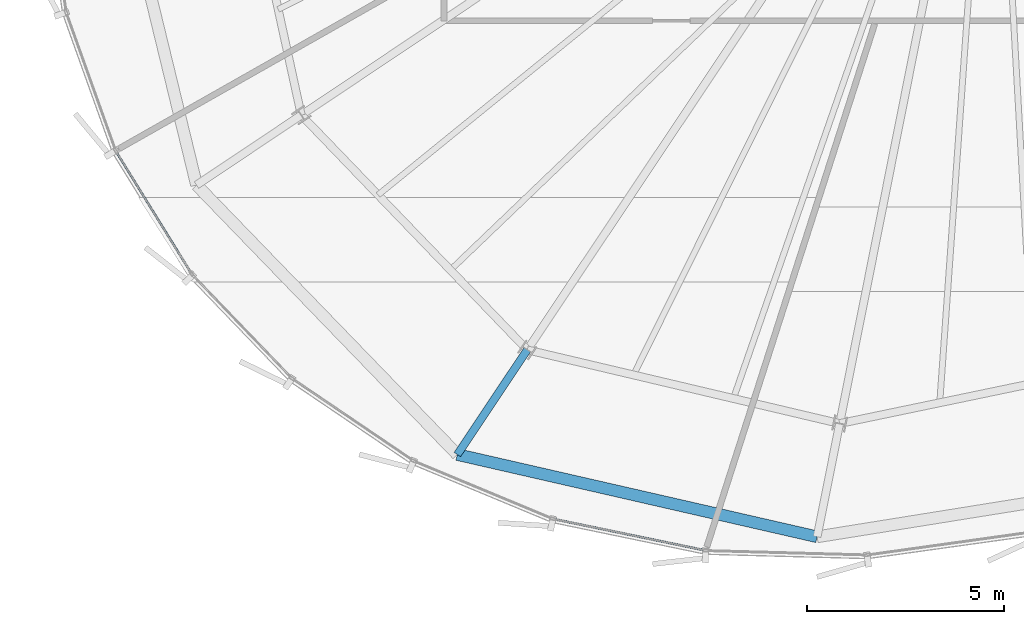
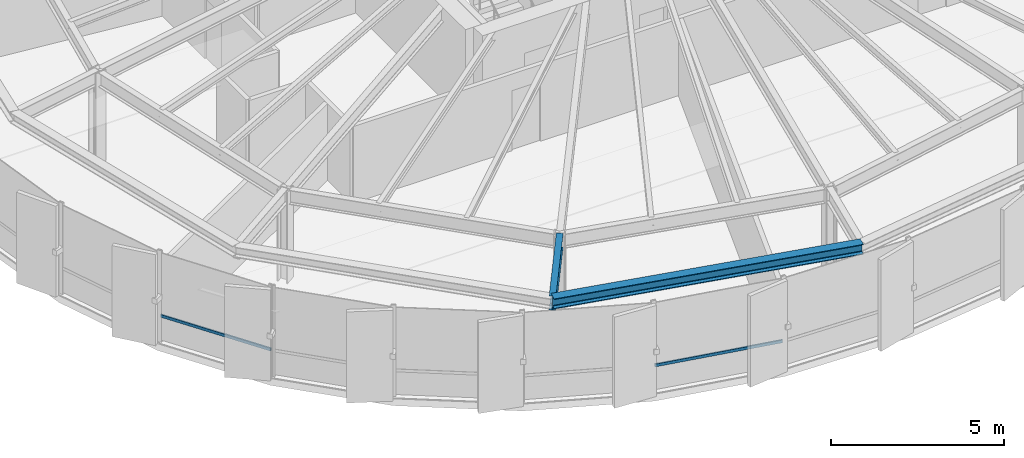
# One storey, part 3 of 34: 2 beams, 2 members, 2 elements without a shape of their own.
"""IFC4 building model written with IfcOpenShell, lengths in metres."""

from ifc_helpers import new_model, si_unit, direction, frame, origin, origin_2d, place, context, subcontext, project, spatial, hollow_rectangle, i_section, extrude, source, transform, mapped, material, layer, layer_set, material_profile, profile_set, type_object, element, aggregate, save


model = new_model("IFC4")

# Units and contexts
model_context = context("Model", 3, precision=1e-05, world=origin(), true_north=direction((0.0, 1.0)))
body_context = subcontext(model_context, "Body", "Model", "MODEL_VIEW")
ifc_project = project(units=[si_unit("LENGTHUNIT", "METRE"), si_unit("AREAUNIT", "SQUARE_METRE"), si_unit("VOLUMEUNIT", "CUBIC_METRE"), si_unit("PLANEANGLEUNIT", "RADIAN"), si_unit("MASSUNIT", "GRAM", prefix="KILO"), si_unit("THERMODYNAMICTEMPERATUREUNIT", "KELVIN")], contexts=[model_context])

# Site, building, storey
site_placement = place(None, origin())
site = spatial("IfcSite", under=ifc_project, at=site_placement, CompositionType="ELEMENT")
building_placement = place(site_placement, origin())
building = spatial("IfcBuilding", under=site, at=building_placement, Name="Kethvar Cultural Tower", CompositionType="ELEMENT")
storey_placement = place(building_placement, frame((0.0, 0.0, 186.89990234375)))
storey = spatial("IfcBuildingStorey", under=building, at=storey_placement, Name="L48", CompositionType="ELEMENT", Elevation=186.89990234375)

# Beams
ifc_material_1 = material(Name="Steel S355J2", Category="steel")
ifc_material_profile_1 = material_profile(ifc_material_1, i_section(OverallWidth=0.199951171875, OverallDepth=0.5, WebThickness=0.01025390625, FlangeThickness=0.01611328125, FilletRadius=0.02099609375, at=origin_2d()), Name="Steel S355J2 — IPE500")
ifc_profile_set_1 = profile_set([ifc_material_profile_1], Name="Steel S355J2 — IPE500")
beam_type_1 = type_object("IfcBeamType", Name="BM-IPE500", PredefinedType="BEAM", material=ifc_profile_set_1)
shared_shape_1 = source(origin(), body_context, "Body", "SweptSolid", [
    extrude(i_section(OverallWidth=0.199951171875, OverallDepth=0.5, WebThickness=0.01025390625, FlangeThickness=0.01611328125, FilletRadius=0.02099609375, at=origin_2d()), origin(), (0.0, 0.0, 1.0), 3.199951171875),
])
beam_1_placement = place(storey_placement, frame((34.962646484375, 10.084228515625, 3.008056640625), z_axis=(-0.555580212716, -0.831462943996, 0.0), x_axis=(0.831462943996, -0.555580212716, 0.0)))
element("IfcBeam", 1, at=beam_1_placement, inside=storey, type_object=beam_type_1, Name="L48 Perimeter Cantilever Beam RC-11", PredefinedType="BEAM", context=body_context, shape_type="MappedRepresentation", body=[
    mapped(shared_shape_1, transform((0.0, 0.0, 0.0), scale=1.0)),
])
ifc_material_profile_2 = material_profile(ifc_material_1, i_section(OverallWidth=0.300048828125, OverallDepth=0.360107421875, WebThickness=0.012451171875, FlangeThickness=0.0224609375, FilletRadius=0.027099609375, at=origin_2d()), Name="Steel S355J2 — HEB360")
ifc_profile_set_2 = profile_set([ifc_material_profile_2], Name="Steel S355J2 — HEB360")
beam_type_2 = type_object("IfcBeamType", Name="BM-SP360", PredefinedType="SPANDREL", material=ifc_profile_set_2)
shared_shape_2 = source(origin(), body_context, "Body", "SweptSolid", [
    extrude(i_section(OverallWidth=0.300048828125, OverallDepth=0.360107421875, WebThickness=0.012451171875, FlangeThickness=0.0224609375, FilletRadius=0.027099609375, at=origin_2d()), origin(), (0.0, 0.0, 1.0), 9.382080078125),
])
beam_2_placement = place(storey_placement, frame((33.184814453125, 7.423583984375, 3.078125), z_axis=(0.974840091949, -0.222905350158, 0.0), x_axis=(0.222905350158, 0.974840091949, 0.0)))
element("IfcBeam", 2, at=beam_2_placement, inside=storey, type_object=beam_type_2, Name="L48 Perimeter Spandrel Beam SP-11", PredefinedType="SPANDREL", context=body_context, shape_type="MappedRepresentation", body=[
    mapped(shared_shape_2, transform((0.0, 0.0, 0.0), scale=1.0)),
])

# Curtain wall, member
ifc_material_2 = material(Name="Aluminium 6063-T6", Category="aluminium")
ifc_layer = layer(ifc_material_2, 0.179931640625, Name="Aluminium 6063-T6", Category="aluminium")
ifc_layer_set = layer_set([ifc_layer], Name="Aluminium 6063-T6 (180 mm)")
curtain_wall_type = type_object("IfcCurtainWallType", Name="CW-SYS-04-Z34", PredefinedType="NOTDEFINED", material=ifc_layer_set)
curtain_wall_1_placement = place(storey_placement, origin())
curtain_wall_1 = element("IfcCurtainWall", 3, at=curtain_wall_1_placement, inside=storey, type_object=curtain_wall_type, Name="L48 Curtain Wall Run 04", PredefinedType="NOTDEFINED")
ifc_material_profile_3 = material_profile(ifc_material_2, hollow_rectangle(XDim=0.050048828125, YDim=0.10009765625, WallThickness=0.00390625, at=origin_2d()), Name="Aluminium 6063-T6 — RHS100x50x4")
ifc_profile_set_3 = profile_set([ifc_material_profile_3], Name="Aluminium 6063-T6 — RHS100x50x4")
member_type = type_object("IfcMemberType", Name="CW-SYS-04-Z34-TRN", PredefinedType="USERDEFINED", material=ifc_profile_set_3)
shared_shape_3 = source(origin(), body_context, "Body", "SweptSolid", [
    extrude(hollow_rectangle(XDim=0.050048828125, YDim=0.10009765625, WallThickness=0.00390625, at=origin_2d()), origin(), (0.0, 0.0, 1.0), 3.897705078125),
])
member_1_placement = place(storey_placement, frame((35.656494140625, 5.779541015625, 0.9501953125), z_axis=(0.979228266544, -0.202760947918, 0.0), x_axis=(0.202760947918, 0.979228266544, 0.0)))
member_1 = element("IfcMember", 4, at=member_1_placement, type_object=member_type, Name="CW-L48-R04 Transom 4", ObjectType="TRANSOM", PredefinedType="USERDEFINED", context=body_context, shape_type="MappedRepresentation", body=[
    mapped(shared_shape_3, transform((0.0, 0.0, 0.0), scale=1.0)),
])
aggregate(curtain_wall_1, [member_1])

curtain_wall_2_placement = place(storey_placement, origin())
curtain_wall_2 = element("IfcCurtainWall", 5, at=curtain_wall_2_placement, inside=storey, type_object=curtain_wall_type, Name="L48 Curtain Wall Run 03", PredefinedType="NOTDEFINED")
shared_shape_4 = source(origin(), body_context, "Body", "SweptSolid", [
    extrude(hollow_rectangle(XDim=0.050048828125, YDim=0.10009765625, WallThickness=0.00390625, at=origin_2d()), origin(), (0.0, 0.0, 1.0), 3.61865234375),
])
member_2_placement = place(storey_placement, frame((24.519287109375, 15.110595703125, 0.9501953125), z_axis=(0.525564696755, -0.85075363621, 0.0), x_axis=(0.85075363621, 0.525564696755, 0.0)))
member_2 = element("IfcMember", 6, at=member_2_placement, type_object=member_type, Name="CW-L48-R03 Transom 6", ObjectType="TRANSOM", PredefinedType="USERDEFINED", context=body_context, shape_type="MappedRepresentation", body=[
    mapped(shared_shape_4, transform((0.0, 0.0, 0.0), scale=1.0)),
])
aggregate(curtain_wall_2, [member_2])

save(model, "model.ifc")
